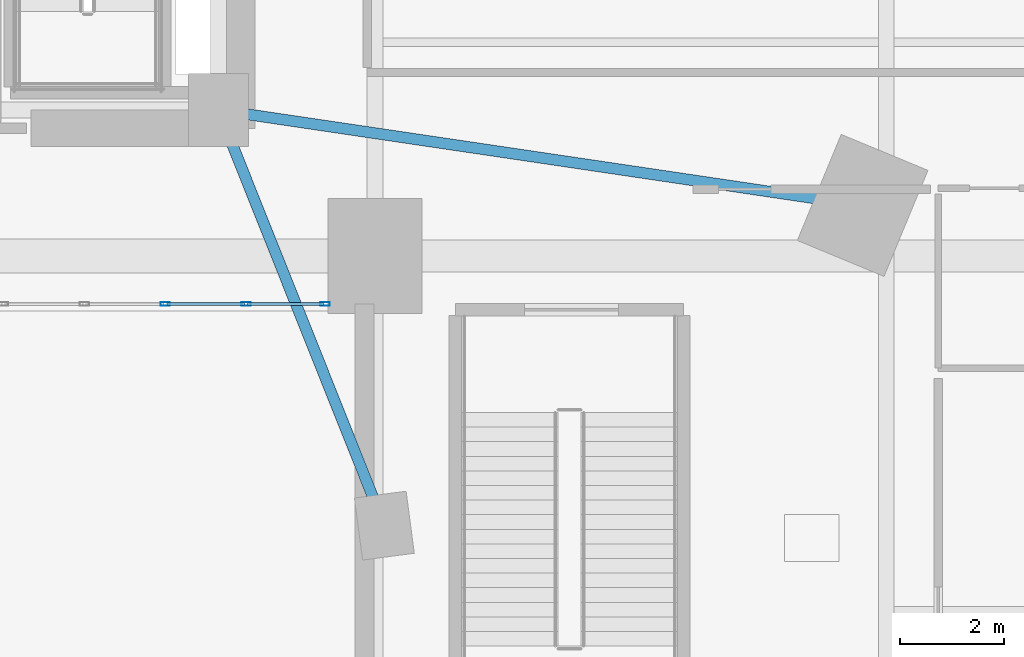
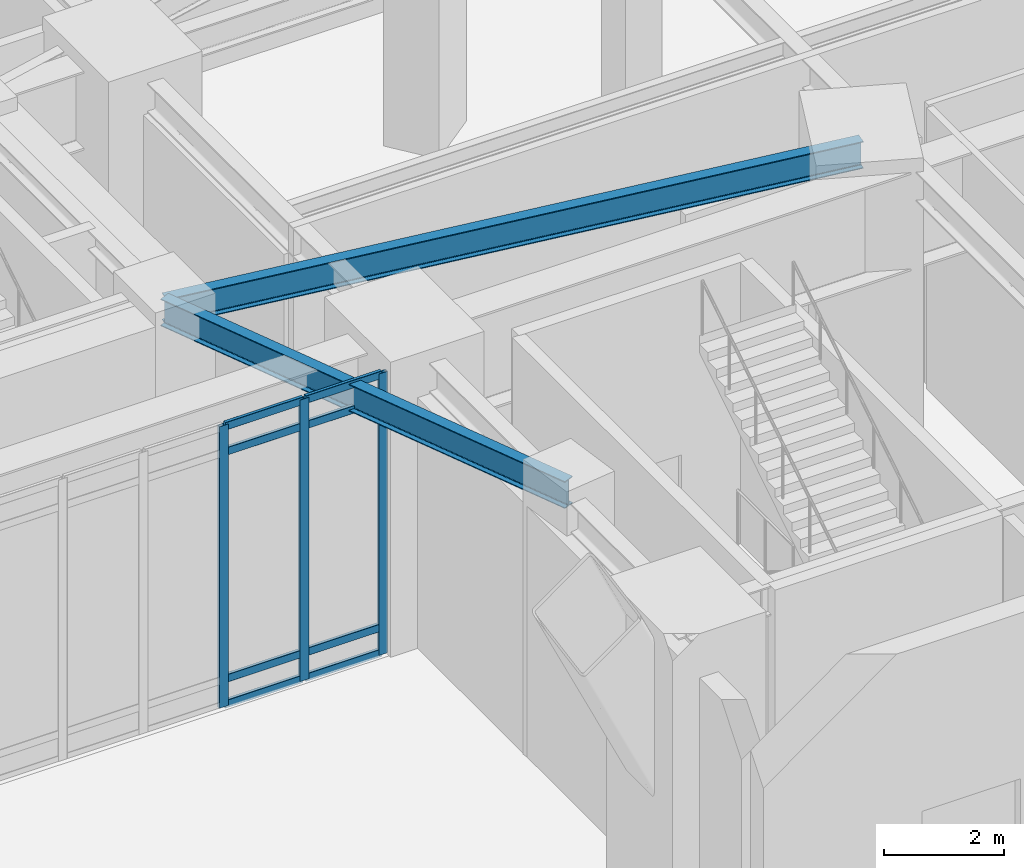
# One storey, part 8 of 27: 11 members, 2 beams, 1 element without a shape of its own.
"""IFC4 building model written with IfcOpenShell, lengths in metres."""

import ifcopenshell
import ifcopenshell.guid

model = None  # the IFC model being written
_history = None  # IfcOwnerHistory: only IFC2X3 demands one
_inside = {}  # id of a spatial element -> (the spatial element, [elements in it])
_under = {}  # id of a project, library or spatial element -> (it, [spatial elements below it])
_declared = {}  # id of a project -> (the project, [libraries it declares])
_typed = {}  # id of a type object -> (the type object, [elements of that type])
_made_of = {}  # id of a material, layer set ... -> (it, [elements and type objects made of it])


def new_model(schema):
    """Start an empty IFC model of exactly this schema.

    Asked for "IFC4X3", IfcOpenShell would pick the latest addendum, in which some entities
    have other attributes; the version numbers below select the first issue.
    IFC2X3 requires an IfcOwnerHistory on every rooted entity: one is made here for all.
    """
    global model, _history
    if schema == "IFC4X3":
        model = ifcopenshell.file(schema_version=(4, 3, 0, 0))
    else:
        model = ifcopenshell.file(schema=schema)
    _inside.clear()
    _under.clear()
    _declared.clear()
    _typed.clear()
    _made_of.clear()
    _history = None
    if model.schema == "IFC2X3":
        org = make("IfcOrganization", Name="unknown")
        user = make(
            "IfcPersonAndOrganization",
            ThePerson=make("IfcPerson", FamilyName="unknown"),
            TheOrganization=org,
        )
        app = make(
            "IfcApplication",
            ApplicationDeveloper=org,
            Version="unknown",
            ApplicationFullName="unknown",
            ApplicationIdentifier="unknown",
        )
        _history = make(
            "IfcOwnerHistory",
            OwningUser=user,
            OwningApplication=app,
            ChangeAction="ADDED",
            CreationDate=0,
        )
    return model


def make(cls, **values):
    """One entity of the class cls with the attributes given. An attribute that is None is left unset."""
    return model.create_entity(
        cls, **{name: value for name, value in values.items() if value is not None}
    )


def rooted(cls, **values):
    """An entity with a GlobalId (a new one), such as an element, a storey or a relation."""
    return make(cls, GlobalId=ifcopenshell.guid.new(), OwnerHistory=_history, **values)


def si_unit(unit_type, name, prefix=None):
    """IfcSIUnit, for example si_unit("LENGTHUNIT", "METRE", prefix="MILLI")."""
    return make("IfcSIUnit", UnitType=unit_type, Prefix=prefix, Name=name)


def assignment(units):
    """IfcUnitAssignment: the units of a project."""
    return None if units is None else make("IfcUnitAssignment", Units=units)


def point(xyz):
    """IfcCartesianPoint."""
    return None if xyz is None else make("IfcCartesianPoint", Coordinates=xyz)


def direction(xyz):
    """IfcDirection."""
    return None if xyz is None else make("IfcDirection", DirectionRatios=xyz)


def frame(location, z_axis=None, x_axis=None):
    """IfcAxis2Placement3D, a coordinate frame: its origin and axes. An axis left out is left unset."""
    return make(
        "IfcAxis2Placement3D",
        Location=point(location),
        Axis=direction(z_axis),
        RefDirection=direction(x_axis),
    )


def frame_2d(location, x_axis=None):
    """IfcAxis2Placement2D, a coordinate frame in the plane: its origin and x axis."""
    return make(
        "IfcAxis2Placement2D", Location=point(location), RefDirection=direction(x_axis)
    )


def origin():
    """The frame at (0, 0, 0) with its axes left unset."""
    return frame((0.0, 0.0, 0.0))


def origin_2d():
    """The frame at (0, 0) in the plane with its x axis left unset."""
    return frame_2d((0.0, 0.0))


def place(relative_to, where):
    """IfcLocalPlacement: puts the frame where relative to a parent placement (None: the world)."""
    return make(
        "IfcLocalPlacement", PlacementRelTo=relative_to, RelativePlacement=where
    )


def context(
    kind, dimensions, precision=None, world=None, true_north=None, identifier=None
):
    """IfcGeometricRepresentationContext, for example the 3D "Model" context."""
    return make(
        "IfcGeometricRepresentationContext",
        ContextIdentifier=identifier,
        ContextType=kind,
        CoordinateSpaceDimension=dimensions,
        Precision=precision,
        WorldCoordinateSystem=world,
        TrueNorth=true_north,
    )


def subcontext(parent, identifier, kind, view, scale=None):
    """IfcGeometricRepresentationSubContext, for example "Body" below "Model"."""
    return make(
        "IfcGeometricRepresentationSubContext",
        ContextIdentifier=identifier,
        ContextType=kind,
        ParentContext=parent,
        TargetScale=scale,
        TargetView=view,
    )


def project(units=None, contexts=None):
    """IfcProject with its units and contexts."""
    return rooted(
        "IfcProject",
        Name="project",
        RepresentationContexts=contexts,
        UnitsInContext=assignment(units),
    )


def spatial(cls, under=None, at=None, **own):
    """A site, building, storey or space (cls), placed at a placement, below another one or the project."""
    s = rooted(cls, ObjectPlacement=at, **own)
    if under is not None:
        _under.setdefault(under.id(), (under, []))[1].append(s)
    return s


def profile(cls, at=None, kind="AREA", **sizes):
    """A parametric profile (cls). Its sizes go by their IFC names, for example OverallWidth=200.0."""
    return make(cls, ProfileType=kind, Position=at, **sizes)


def hollow_rectangle(**sizes):
    """IfcRectangleHollowProfileDef."""
    return profile("IfcRectangleHollowProfileDef", **sizes)


def i_section(**sizes):
    """IfcIShapeProfileDef."""
    return profile("IfcIShapeProfileDef", **sizes)


def extrude(swept, where, along, depth):
    """IfcExtrudedAreaSolid: the profile swept, set in the frame where, extruded along a direction by depth."""
    return make(
        "IfcExtrudedAreaSolid",
        SweptArea=swept,
        Position=where,
        ExtrudedDirection=direction(along),
        Depth=depth,
    )


def shape(context_of_items, identifier, shape_type, items):
    """IfcShapeRepresentation: the items that make up one representation, for example the "Body"."""
    return make(
        "IfcShapeRepresentation",
        ContextOfItems=context_of_items,
        RepresentationIdentifier=identifier,
        RepresentationType=shape_type,
        Items=items,
    )


def material(Name=None, Category=None):
    """IfcMaterial."""
    return make("IfcMaterial", Name=Name, Category=Category)


def layer(
    of_material, thickness, ventilated=None, Name=None, Category=None, Priority=None
):
    """IfcMaterialLayer: one layer of a wall or slab, of a material (None: an air gap)."""
    return make(
        "IfcMaterialLayer",
        Material=of_material,
        LayerThickness=thickness,
        IsVentilated=ventilated,
        Name=Name,
        Category=Category,
        Priority=Priority,
    )


def layer_set(layers, Name=None):
    """IfcMaterialLayerSet."""
    return make("IfcMaterialLayerSet", MaterialLayers=layers, LayerSetName=Name)


def material_profile(
    of_material, cross_section, Name=None, Category=None, Priority=None
):
    """IfcMaterialProfile: a cross section and its material."""
    return make(
        "IfcMaterialProfile",
        Name=Name,
        Material=of_material,
        Profile=cross_section,
        Priority=Priority,
        Category=Category,
    )


def profile_set(profiles, Name=None, composite=None):
    """IfcMaterialProfileSet."""
    return make(
        "IfcMaterialProfileSet",
        Name=Name,
        MaterialProfiles=profiles,
        CompositeProfile=composite,
    )


def made_of(thing, what):
    """Note that an element or type object is made of a material, layer set ...; save() writes the relation."""
    if what is not None:
        _made_of.setdefault(what.id(), (what, []))[1].append(thing)
    return thing


def type_object(cls, material=None, **own):
    """A type object (cls), such as IfcWallType, which elements share."""
    return made_of(rooted(cls, **own), material)


def element(
    cls,
    number,
    at=None,
    inside=None,
    cuts=None,
    type_object=None,
    material=None,
    context=None,
    identifier="Body",
    shape_type=None,
    held_by="IfcProductDefinitionShape",
    body=None,
    shapes=None,
    **own,
):
    """One element of the class cls, such as IfcWall. Its Tag is "e" and its number.

    at: its placement. inside: the storey or other place that contains it. cuts: it is an
    opening in that element (IfcRelVoidsElement). A single representation is given by context,
    identifier, shape_type and body (its items); several are given by shapes. held_by: the class
    of the entity that holds the representations. save() writes the other relations.
    """
    e = rooted(cls, Tag="e%d" % number, ObjectPlacement=at, **own)
    if body is not None:
        shapes = [shape(context, identifier, shape_type, body)]
    if shapes is not None:
        e.Representation = make(held_by, Representations=shapes)
    if inside is not None:
        _inside.setdefault(inside.id(), (inside, []))[1].append(e)
    if cuts is not None:
        rooted(
            "IfcRelVoidsElement", RelatingBuildingElement=cuts, RelatedOpeningElement=e
        )
    if type_object is not None:
        _typed.setdefault(type_object.id(), (type_object, []))[1].append(e)
    return made_of(e, material)


def aggregate(whole, parts):
    """IfcRelAggregates: a whole, such as a stair, and the parts it consists of."""
    return rooted("IfcRelAggregates", RelatingObject=whole, RelatedObjects=parts)


def save(model, path):
    """Write the relations noted so far, then the file.

    IfcRelAggregates (storeys below a building ...), IfcRelContainedInSpatialStructure (elements
    in a storey), IfcRelDefinesByType, IfcRelAssociatesMaterial and IfcRelDeclares: one each for
    every whole, place, type object, material and project.
    """
    for whole, parts in _under.values():
        aggregate(whole, parts)
    for where, things in _inside.values():
        rooted(
            "IfcRelContainedInSpatialStructure",
            RelatedElements=things,
            RelatingStructure=where,
        )
    for kind, things in _typed.values():
        rooted("IfcRelDefinesByType", RelatedObjects=things, RelatingType=kind)
    for what, things in _made_of.values():
        rooted("IfcRelAssociatesMaterial", RelatedObjects=things, RelatingMaterial=what)
    for by, libraries in _declared.values():
        rooted("IfcRelDeclares", RelatingContext=by, RelatedDefinitions=libraries)
    model.write(path)


model = new_model("IFC4")

# Units and contexts
model_context = context("Model", 3, precision=1e-05, world=origin(), true_north=direction((0.0, 1.0)))
body_context = subcontext(model_context, "Body", "Model", "MODEL_VIEW")
ifc_project = project(units=[si_unit("LENGTHUNIT", "METRE"), si_unit("AREAUNIT", "SQUARE_METRE"), si_unit("VOLUMEUNIT", "CUBIC_METRE"), si_unit("PLANEANGLEUNIT", "RADIAN"), si_unit("MASSUNIT", "GRAM", prefix="KILO")], contexts=[model_context])

# Site, building, storey
site_placement = place(None, origin())
site = spatial("IfcSite", under=ifc_project, at=site_placement, CompositionType="ELEMENT")
building_placement = place(site_placement, origin())
building = spatial("IfcBuilding", under=site, at=building_placement, Name="Ndelora Gate Hotel", CompositionType="ELEMENT")
storey_placement = place(building_placement, origin())
storey = spatial("IfcBuildingStorey", under=building, at=storey_placement, Name="L00", CompositionType="ELEMENT", Elevation=0.0)

# Beams
ifc_material_1 = material(Name="Steel S355", Category="steel")
ifc_material_profile_1 = material_profile(ifc_material_1, i_section(OverallWidth=0.2099609375, OverallDepth=0.550048828125, WebThickness=0.010986328125, FlangeThickness=0.01708984375, FilletRadius=0.02392578125, at=origin_2d()), Name="IPE 550")
ifc_profile_set_1 = profile_set([ifc_material_profile_1], Name="Steel S355")
beam_type = type_object("IfcBeamType", Name="BM-RAD-550", PredefinedType="BEAM", material=ifc_profile_set_1)
beam_1_placement = place(storey_placement, frame((8.0, -6.60009765625, 5.445068359375), z_axis=(0.37056142644, -0.92880796144, 0.0), x_axis=(0.92880796144, 0.37056142644, 0.0)))
element("IfcBeam", 1, at=beam_1_placement, inside=storey, type_object=beam_type, Name="L00 Tower Root Radial Tie Beam 8", PredefinedType="BEAM", context=body_context, shape_type="SweptSolid", body=[
    extrude(i_section(OverallWidth=0.2099609375, OverallDepth=0.550048828125, WebThickness=0.010986328125, FlangeThickness=0.01708984375, FilletRadius=0.02392578125, at=origin_2d()), origin(), (0.0, 0.0, 1.0), 8.580078125),
])
beam_2_placement = place(storey_placement, frame((8.0, -6.60009765625, 5.445068359375), z_axis=(0.989209761041, -0.146506138649, 0.0), x_axis=(0.146506138649, 0.989209761041, 0.0)))
element("IfcBeam", 2, at=beam_2_placement, inside=storey, type_object=beam_type, Name="L00 Tower Root Radial Tie Beam 9", PredefinedType="BEAM", context=body_context, shape_type="SweptSolid", body=[
    extrude(i_section(OverallWidth=0.2099609375, OverallDepth=0.550048828125, WebThickness=0.010986328125, FlangeThickness=0.01708984375, FilletRadius=0.02392578125, at=origin_2d()), origin(), (0.0, 0.0, 1.0), 12.48486328125),
])

# Curtain wall, members
ifc_material_2 = material(Name="Bronze Anodised Unitised Aluminium and Low-E Glass", Category="aluminium")
ifc_layer = layer(ifc_material_2, 0.239990234375)
ifc_layer_set = layer_set([ifc_layer], Name="Bronze Anodised Unitised Aluminium and Low-E Glass")
curtain_wall_type = type_object("IfcCurtainWallType", Name="CW-SYS-1", PredefinedType="NOTDEFINED", material=ifc_layer_set)
curtain_wall_placement = place(storey_placement, origin())
curtain_wall = element("IfcCurtainWall", 3, at=curtain_wall_placement, inside=storey, type_object=curtain_wall_type, Name="L00 South Portal Arch Concourse Curtain Wall CW1", PredefinedType="NOTDEFINED")
ifc_material_3 = material(Name="Bronze Anodised Aluminium 6063-T6", Category="aluminium")
ifc_material_profile_2 = material_profile(ifc_material_3, hollow_rectangle(XDim=0.070068359375, YDim=0.179931640625, WallThickness=0.0048828125, InnerFilletRadius=0.0048828125, OuterFilletRadius=0.010009765625, at=origin_2d()), Name="ALU 180x70x5")
ifc_profile_set_2 = profile_set([ifc_material_profile_2], Name="Bronze Anodised Aluminium 6063-T6")
member_type_1 = type_object("IfcMemberType", Name="MB-CW-MUL180", PredefinedType="MULLION", material=ifc_profile_set_2)
member_1_placement = place(storey_placement, frame((6.978515625, -10.320068359375, -0.00390625), z_axis=(0.0, 0.0, 1.0), x_axis=(0.0, 1.0, 0.0)))
member_1 = element("IfcMember", 4, at=member_1_placement, type_object=member_type_1, Name="CW1 mullion 12", PredefinedType="MULLION", context=body_context, shape_type="SweptSolid", body=[
    extrude(hollow_rectangle(XDim=0.070068359375, YDim=0.179931640625, WallThickness=0.0048828125, InnerFilletRadius=0.0048828125, OuterFilletRadius=0.010009765625, at=origin_2d()), origin(), (0.0, 0.0, 1.0), 5.72802734375),
])
member_2_placement = place(storey_placement, frame((8.529296875, -10.320068359375, -0.00390625), z_axis=(0.0, 0.0, 1.0), x_axis=(0.0, 1.0, 0.0)))
member_2 = element("IfcMember", 5, at=member_2_placement, type_object=member_type_1, Name="CW1 mullion 13", PredefinedType="MULLION", context=body_context, shape_type="SweptSolid", body=[
    extrude(hollow_rectangle(XDim=0.070068359375, YDim=0.179931640625, WallThickness=0.0048828125, InnerFilletRadius=0.0048828125, OuterFilletRadius=0.010009765625, at=origin_2d()), origin(), (0.0, 0.0, 1.0), 5.72802734375),
])
member_3_placement = place(storey_placement, frame((10.044921875, -10.320068359375, -0.00390625), z_axis=(0.0, 0.0, 1.0), x_axis=(0.0, 1.0, 0.0)))
member_3 = element("IfcMember", 6, at=member_3_placement, type_object=member_type_1, Name="CW1 mullion 14", PredefinedType="MULLION", context=body_context, shape_type="SweptSolid", body=[
    extrude(hollow_rectangle(XDim=0.070068359375, YDim=0.179931640625, WallThickness=0.0048828125, InnerFilletRadius=0.0048828125, OuterFilletRadius=0.010009765625, at=origin_2d()), origin(), (0.0, 0.0, 1.0), 5.72802734375),
])
ifc_material_profile_3 = material_profile(ifc_material_3, hollow_rectangle(XDim=0.06494140625, YDim=0.159912109375, WallThickness=0.00390625, InnerFilletRadius=0.00390625, OuterFilletRadius=0.008056640625, at=origin_2d()), Name="ALU 160x65x4")
ifc_profile_set_3 = profile_set([ifc_material_profile_3], Name="Bronze Anodised Aluminium 6063-T6")
member_type_2 = type_object("IfcMemberType", Name="MB-CW-TRN150", PredefinedType="USERDEFINED", material=ifc_profile_set_3)
member_4_placement = place(storey_placement, frame((7.007568359375, -10.320068359375, 0.032470703125), z_axis=(1.0, 0.0, 0.0), x_axis=(0.0, 1.0, 0.0)))
member_4 = element("IfcMember", 7, at=member_4_placement, type_object=member_type_2, Name="CW1 transom 12.1", ObjectType="TRANSOM", PredefinedType="USERDEFINED", context=body_context, shape_type="SweptSolid", body=[
    extrude(hollow_rectangle(XDim=0.06494140625, YDim=0.159912109375, WallThickness=0.00390625, InnerFilletRadius=0.00390625, OuterFilletRadius=0.008056640625, at=origin_2d()), origin(), (0.0, 0.0, 1.0), 1.49267578125),
])
member_5_placement = place(storey_placement, frame((7.007568359375, -10.320068359375, 0.550048828125), z_axis=(1.0, 0.0, 0.0), x_axis=(0.0, 1.0, 0.0)))
member_5 = element("IfcMember", 8, at=member_5_placement, type_object=member_type_2, Name="CW1 transom 12.2", ObjectType="TRANSOM", PredefinedType="USERDEFINED", context=body_context, shape_type="SweptSolid", body=[
    extrude(hollow_rectangle(XDim=0.06494140625, YDim=0.159912109375, WallThickness=0.00390625, InnerFilletRadius=0.00390625, OuterFilletRadius=0.008056640625, at=origin_2d()), origin(), (0.0, 0.0, 1.0), 1.49267578125),
])
member_6_placement = place(storey_placement, frame((7.007568359375, -10.320068359375, 5.169921875), z_axis=(1.0, 0.0, 0.0), x_axis=(0.0, 1.0, 0.0)))
member_6 = element("IfcMember", 9, at=member_6_placement, type_object=member_type_2, Name="CW1 transom 12.3", ObjectType="TRANSOM", PredefinedType="USERDEFINED", context=body_context, shape_type="SweptSolid", body=[
    extrude(hollow_rectangle(XDim=0.06494140625, YDim=0.159912109375, WallThickness=0.00390625, InnerFilletRadius=0.00390625, OuterFilletRadius=0.008056640625, at=origin_2d()), origin(), (0.0, 0.0, 1.0), 1.49267578125),
])
member_7_placement = place(storey_placement, frame((7.007568359375, -10.320068359375, 5.6875), z_axis=(1.0, 0.0, 0.0), x_axis=(0.0, 1.0, 0.0)))
member_7 = element("IfcMember", 10, at=member_7_placement, type_object=member_type_2, Name="CW1 transom 12.4", ObjectType="TRANSOM", PredefinedType="USERDEFINED", context=body_context, shape_type="SweptSolid", body=[
    extrude(hollow_rectangle(XDim=0.06494140625, YDim=0.159912109375, WallThickness=0.00390625, InnerFilletRadius=0.00390625, OuterFilletRadius=0.008056640625, at=origin_2d()), origin(), (0.0, 0.0, 1.0), 1.49267578125),
])
member_8_placement = place(storey_placement, frame((8.558349609375, -10.320068359375, 0.032470703125), z_axis=(1.0, 0.0, 0.0), x_axis=(0.0, 1.0, 0.0)))
member_8 = element("IfcMember", 11, at=member_8_placement, type_object=member_type_2, Name="CW1 transom 13.1", ObjectType="TRANSOM", PredefinedType="USERDEFINED", context=body_context, shape_type="SweptSolid", body=[
    extrude(hollow_rectangle(XDim=0.06494140625, YDim=0.159912109375, WallThickness=0.00390625, InnerFilletRadius=0.00390625, OuterFilletRadius=0.008056640625, at=origin_2d()), origin(), (0.0, 0.0, 1.0), 1.457763671875),
])
member_9_placement = place(storey_placement, frame((8.558349609375, -10.320068359375, 0.550048828125), z_axis=(1.0, 0.0, 0.0), x_axis=(0.0, 1.0, 0.0)))
member_9 = element("IfcMember", 12, at=member_9_placement, type_object=member_type_2, Name="CW1 transom 13.2", ObjectType="TRANSOM", PredefinedType="USERDEFINED", context=body_context, shape_type="SweptSolid", body=[
    extrude(hollow_rectangle(XDim=0.06494140625, YDim=0.159912109375, WallThickness=0.00390625, InnerFilletRadius=0.00390625, OuterFilletRadius=0.008056640625, at=origin_2d()), origin(), (0.0, 0.0, 1.0), 1.457763671875),
])
member_10_placement = place(storey_placement, frame((8.558349609375, -10.320068359375, 5.169921875), z_axis=(1.0, 0.0, 0.0), x_axis=(0.0, 1.0, 0.0)))
member_10 = element("IfcMember", 13, at=member_10_placement, type_object=member_type_2, Name="CW1 transom 13.3", ObjectType="TRANSOM", PredefinedType="USERDEFINED", context=body_context, shape_type="SweptSolid", body=[
    extrude(hollow_rectangle(XDim=0.06494140625, YDim=0.159912109375, WallThickness=0.00390625, InnerFilletRadius=0.00390625, OuterFilletRadius=0.008056640625, at=origin_2d()), origin(), (0.0, 0.0, 1.0), 1.457763671875),
])
member_11_placement = place(storey_placement, frame((8.558349609375, -10.320068359375, 5.6875), z_axis=(1.0, 0.0, 0.0), x_axis=(0.0, 1.0, 0.0)))
member_11 = element("IfcMember", 14, at=member_11_placement, type_object=member_type_2, Name="CW1 transom 13.4", ObjectType="TRANSOM", PredefinedType="USERDEFINED", context=body_context, shape_type="SweptSolid", body=[
    extrude(hollow_rectangle(XDim=0.06494140625, YDim=0.159912109375, WallThickness=0.00390625, InnerFilletRadius=0.00390625, OuterFilletRadius=0.008056640625, at=origin_2d()), origin(), (0.0, 0.0, 1.0), 1.457763671875),
])
aggregate(curtain_wall, [member_1, member_2, member_3, member_4, member_5, member_6, member_7, member_8, member_9, member_10, member_11])

save(model, "model.ifc")
